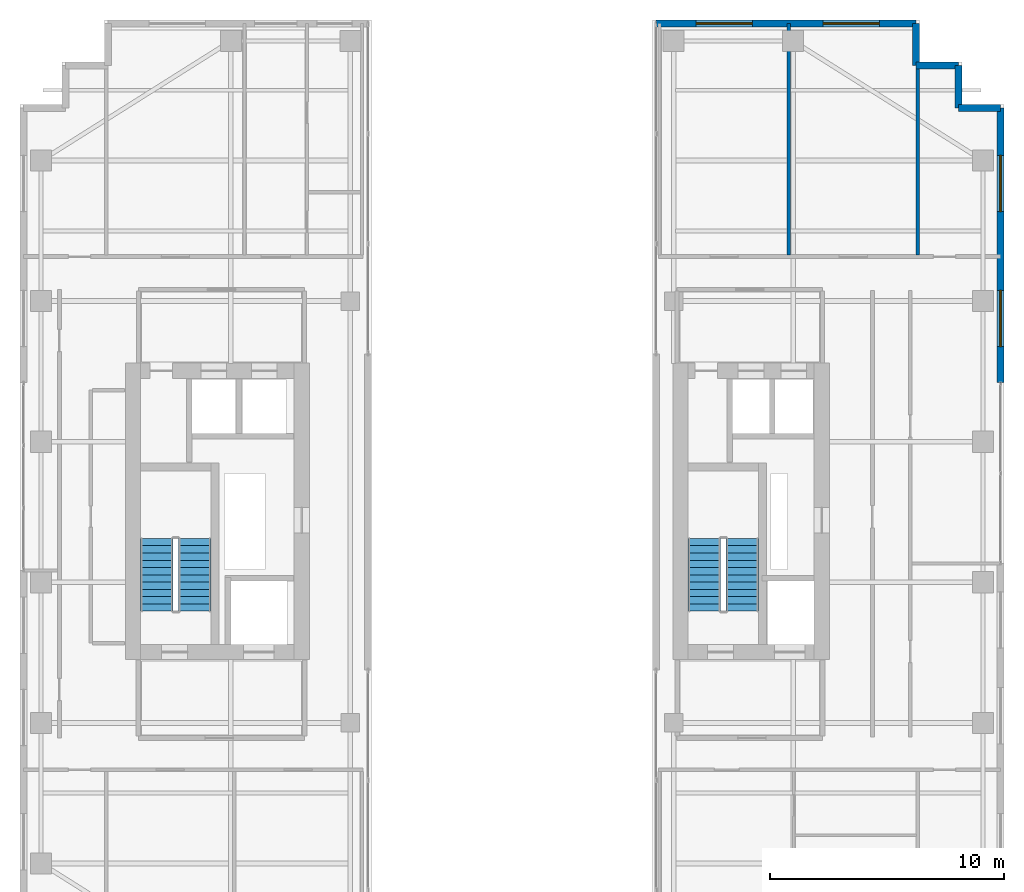
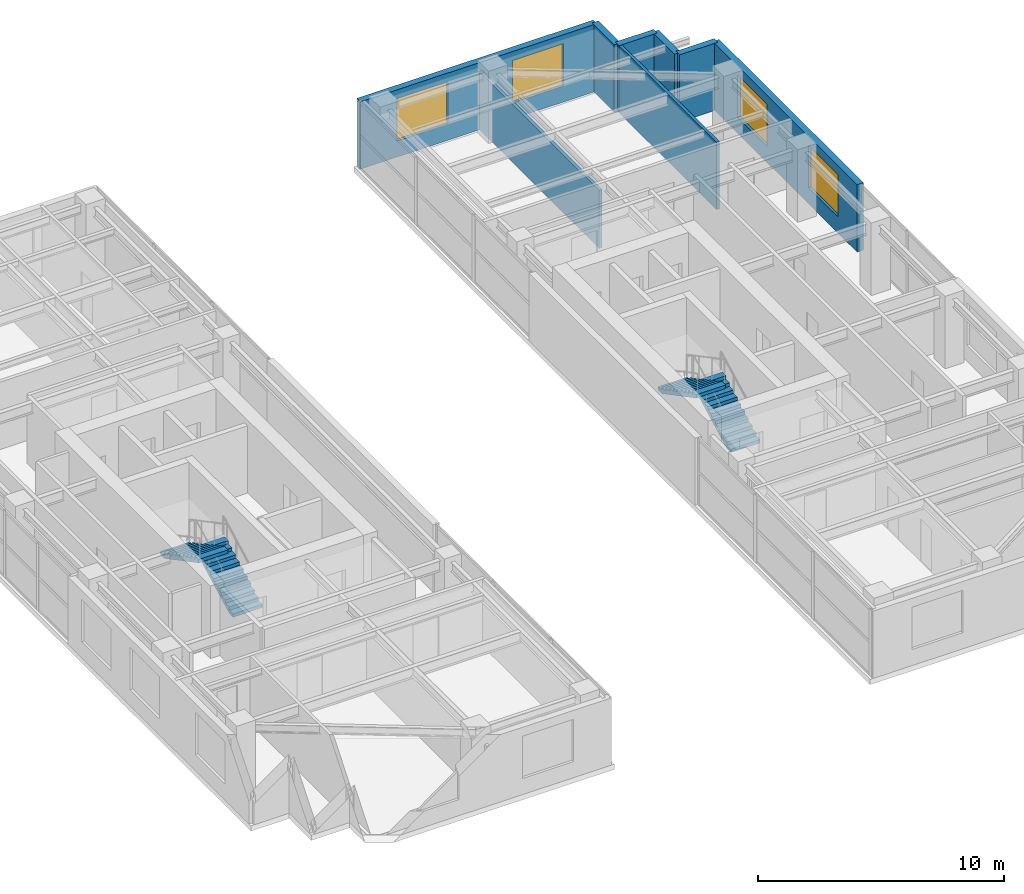
# One storey, part 20 of 22: 8 walls, 4 stair flights, 4 windows, 4 openings, 2 elements without a shape of their own.
"""IFC4 building model written with IfcOpenShell, lengths in metres."""

from ifc_helpers import new_model, si_unit, direction, frame, frame_2d, origin, place, context, subcontext, project, spatial, polyline, rectangle, outline, extrude, source, transform, mapped, material, layer, layer_set, type_object, element, fill, aggregate, save


model = new_model("IFC4")

# Units and contexts
model_context = context("Model", 3, precision=1e-05, world=origin(), true_north=direction((0.0, 1.0)))
body_context = subcontext(model_context, "Body", "Model", "MODEL_VIEW")
ifc_project = project(units=[si_unit("LENGTHUNIT", "METRE"), si_unit("AREAUNIT", "SQUARE_METRE"), si_unit("VOLUMEUNIT", "CUBIC_METRE"), si_unit("PLANEANGLEUNIT", "RADIAN"), si_unit("MASSUNIT", "GRAM", prefix="KILO")], contexts=[model_context])

# Site, building, storey
site_placement = place(None, origin())
site = spatial("IfcSite", under=ifc_project, at=site_placement, CompositionType="ELEMENT")
building_placement = place(site_placement, origin())
building = spatial("IfcBuilding", under=site, at=building_placement, Name="Khoralis Quay Care Tower", CompositionType="ELEMENT")
storey_placement = place(building_placement, frame((0.0, 0.0, 184.5)))
storey = spatial("IfcBuildingStorey", under=building, at=storey_placement, Name="L48", CompositionType="ELEMENT", Elevation=184.5)

# Wall, openings, windows
ifc_material_1 = material(Name="Precast concrete C45/55", Category="concrete")
ifc_layer_1 = layer(ifc_material_1, 0.300048828125)
ifc_layer_set_1 = layer_set([ifc_layer_1], Name="Precast concrete C45/55")
wall_type_1 = type_object("IfcWallType", Name="WL-EXT-REF-300", PredefinedType="SOLIDWALL", material=ifc_layer_set_1)
wall_1_placement = place(storey_placement, frame((44.85009765625, 26.52001953125, 0.0), z_axis=(0.0, 0.0, 1.0), x_axis=(0.0, 1.0, 0.0)))
wall_1 = element("IfcWall", 1, at=wall_1_placement, inside=storey, type_object=wall_type_1, Name="L48 External Facade Wall WL-EXT-L48-P2-E5B", PredefinedType="SOLIDWALL", context=body_context, shape_type="SweptSolid", body=[
    extrude(rectangle(XDim=11.72998046875, YDim=0.300048828125, at=frame_2d((5.864990234375, 0.0))), origin(), (0.0, 0.0, 1.0), 3.340087890625),
])
opening_1_placement = place(wall_1_placement, frame((1.5400390625, 0.0, 0.800048828125)))
opening_1 = element("IfcOpeningElement", 2, at=opening_1_placement, cuts=wall_1, Name="Opening W1", PredefinedType="OPENING", context=body_context, shape_type="SweptSolid", body=[
    extrude(rectangle(XDim=2.39990234375, YDim=2.10009765625, at=frame_2d((1.199951171875, 1.050048828125))), frame((0.0, 0.16015625, 0.0), z_axis=(0.0, -1.0, 0.0), x_axis=(1.0, 0.0, 0.0)), (0.0, 0.0, 1.0), 0.320068359375),
])
opening_2_placement = place(wall_1_placement, frame((7.304931640625, 0.0, 0.800048828125)))
opening_2 = element("IfcOpeningElement", 3, at=opening_2_placement, cuts=wall_1, Name="Opening W1", PredefinedType="OPENING", context=body_context, shape_type="SweptSolid", body=[
    extrude(rectangle(XDim=2.39990234375, YDim=2.10009765625, at=frame_2d((1.199951171875, 1.050048828125))), frame((0.0, 0.16015625, 0.0), z_axis=(0.0, -1.0, 0.0), x_axis=(1.0, 0.0, 0.0)), (0.0, 0.0, 1.0), 0.320068359375),
])
ifc_material_2 = material(Name="Low-E solar-control double glazing", Category="glass")
window_type = type_object("IfcWindowType", Name="WN-POD-2400X2100", PartitioningType="SINGLE_PANEL", PredefinedType="WINDOW", material=ifc_material_2)
shared_shape_1 = source(origin(), body_context, "Body", "SweptSolid", [
    extrude(rectangle(XDim=2.39990234375, YDim=2.10009765625, at=frame_2d((1.199951171875, 1.050048828125))), frame((0.0, 0.030029296875, 0.0), z_axis=(0.0, -1.0, 0.0), x_axis=(1.0, 0.0, 0.0)), (0.0, 0.0, 1.0), 0.06005859375),
])
window_1_placement = place(opening_1_placement, origin())
window_1 = element("IfcWindow", 4, at=window_1_placement, inside=storey, type_object=window_type, Name="WN-L48-P2-E5B Facade Window 01", OverallHeight=2.10009765625, OverallWidth=2.39990234375, PartitioningType="SINGLE_PANEL", PredefinedType="WINDOW", context=body_context, shape_type="MappedRepresentation", body=[
    mapped(shared_shape_1, transform((0.0, 0.0, 0.0), scale=1.0)),
])
fill(opening_1, window_1)
window_2_placement = place(opening_2_placement, origin())
window_2 = element("IfcWindow", 5, at=window_2_placement, inside=storey, type_object=window_type, Name="WN-L48-P2-E5B Facade Window 02", OverallHeight=2.10009765625, OverallWidth=2.39990234375, PartitioningType="SINGLE_PANEL", PredefinedType="WINDOW", context=body_context, shape_type="MappedRepresentation", body=[
    mapped(shared_shape_1, transform((0.0, 0.0, 0.0), scale=1.0)),
])
fill(opening_2, window_2)

# Walls
for number, where, z_axis, x_axis, name in (
    (6, (44.85009765625, 38.25, 0.0), (0.0, 0.0, 1.0), (-1.0, 0.0, 0.0), "L48 External Facade Wall WL-EXT-L48-P2-C6"),
    (7, (43.050048828125, 38.25, 0.0), (0.0, 0.0, 1.0), (0.0, 1.0, 0.0), "L48 External Facade Wall WL-EXT-L48-P2-C7"),
    (8, (43.050048828125, 40.050048828125, 0.0), (0.0, 0.0, 1.0), (-1.0, 0.0, 0.0), "L48 External Facade Wall WL-EXT-L48-P2-C8"),
    (9, (41.25, 40.050048828125, 0.0), (0.0, 0.0, 1.0), (0.0, 1.0, 0.0), "L48 External Facade Wall WL-EXT-L48-P2-C9"),
):
    element("IfcWall", number, at=place(storey_placement, frame(where, z_axis=z_axis, x_axis=x_axis)), inside=storey, type_object=wall_type_1, Name=name, PredefinedType="SOLIDWALL", context=body_context, shape_type="SweptSolid", body=[
        extrude(rectangle(XDim=1.800048828125, YDim=0.300048828125, at=frame_2d((0.89990234375, 0.0))), origin(), (0.0, 0.0, 1.0), 3.340087890625),
    ])

# Wall, openings, windows
wall_2_placement = place(storey_placement, frame((41.25, 41.85009765625, 0.0), z_axis=(0.0, 0.0, 1.0), x_axis=(-1.0, 0.0, 0.0)))
wall_2 = element("IfcWall", 10, at=wall_2_placement, inside=storey, type_object=wall_type_1, Name="L48 External Facade Wall WL-EXT-L48-P2-E10", PredefinedType="SOLIDWALL", context=body_context, shape_type="SweptSolid", body=[
    extrude(rectangle(XDim=11.10009765625, YDim=0.300048828125, at=frame_2d((5.550048828125, 0.0))), origin(), (0.0, 0.0, 1.0), 3.340087890625),
])
opening_3_placement = place(wall_2_placement, frame((1.570068359375, 0.0, 0.800048828125)))
opening_3 = element("IfcOpeningElement", 11, at=opening_3_placement, cuts=wall_2, Name="Opening W1", PredefinedType="OPENING", context=body_context, shape_type="SweptSolid", body=[
    extrude(rectangle(XDim=2.39990234375, YDim=2.10009765625, at=frame_2d((1.199951171875, 1.050048828125))), frame((0.0, 0.16015625, 0.0), z_axis=(0.0, -1.0, 0.0), x_axis=(1.0, 0.0, 0.0)), (0.0, 0.0, 1.0), 0.320068359375),
])
opening_4_placement = place(wall_2_placement, frame((6.9951171875, 0.0, 0.800048828125)))
opening_4 = element("IfcOpeningElement", 12, at=opening_4_placement, cuts=wall_2, Name="Opening W1", PredefinedType="OPENING", context=body_context, shape_type="SweptSolid", body=[
    extrude(rectangle(XDim=2.39990234375, YDim=2.10009765625, at=frame_2d((1.199951171875, 1.050048828125))), frame((0.0, 0.16015625, 0.0), z_axis=(0.0, -1.0, 0.0), x_axis=(1.0, 0.0, 0.0)), (0.0, 0.0, 1.0), 0.320068359375),
])
window_3_placement = place(opening_3_placement, origin())
window_3 = element("IfcWindow", 13, at=window_3_placement, inside=storey, type_object=window_type, Name="WN-L48-P2-E10 Facade Window 01", OverallHeight=2.10009765625, OverallWidth=2.39990234375, PartitioningType="SINGLE_PANEL", PredefinedType="WINDOW", context=body_context, shape_type="MappedRepresentation", body=[
    mapped(shared_shape_1, transform((0.0, 0.0, 0.0), scale=1.0)),
])
fill(opening_3, window_3)
window_4_placement = place(opening_4_placement, origin())
window_4 = element("IfcWindow", 14, at=window_4_placement, inside=storey, type_object=window_type, Name="WN-L48-P2-E10 Facade Window 02", OverallHeight=2.10009765625, OverallWidth=2.39990234375, PartitioningType="SINGLE_PANEL", PredefinedType="WINDOW", context=body_context, shape_type="MappedRepresentation", body=[
    mapped(shared_shape_1, transform((0.0, 0.0, 0.0), scale=1.0)),
])
fill(opening_4, window_4)

# Walls
ifc_material_3 = material(Name="Gypsum plasterboard on acoustic metal stud")
ifc_layer_2 = layer(ifc_material_3, 0.139892578125)
ifc_layer_set_2 = layer_set([ifc_layer_2], Name="Gypsum plasterboard on acoustic metal stud")
wall_type_2 = type_object("IfcWallType", Name="WL-UNIT-140", PredefinedType="PARTITIONING", material=ifc_layer_set_2)
wall_3_placement = place(storey_placement, frame((35.81005859375, 31.9775390625, 0.0), z_axis=(0.0, 0.0, 1.0), x_axis=(0.0, 1.0, 0.0)))
element("IfcWall", 15, at=wall_3_placement, inside=storey, type_object=wall_type_2, Name="L48 EN Demising Wall 1", PredefinedType="PARTITIONING", context=body_context, shape_type="SweptSolid", body=[
    extrude(rectangle(XDim=9.87744140625, YDim=0.139892578125, at=frame_2d((4.938720703125, 0.0))), origin(), (0.0, 0.0, 1.0), 2.876953125),
])
wall_4_placement = place(storey_placement, frame((41.320068359375, 31.9775390625, 0.0), z_axis=(0.0, 0.0, 1.0), x_axis=(0.0, 1.0, 0.0)))
element("IfcWall", 16, at=wall_4_placement, inside=storey, type_object=wall_type_2, Name="L48 EN Demising Wall 2", PredefinedType="PARTITIONING", context=body_context, shape_type="SweptSolid", body=[
    extrude(rectangle(XDim=8.077392578125, YDim=0.139892578125, at=frame_2d((4.03857421875, 0.0))), origin(), (0.0, 0.0, 1.0), 3.340087890625),
])

# Stair, stair flights
stair_type = type_object("IfcStairType", Name="ST-TWR-DOGLEG-1400", PredefinedType="HALF_TURN_STAIR", material=ifc_material_1)
stair_1_placement = place(storey_placement, origin())
stair_1 = element("IfcStair", 17, at=stair_1_placement, inside=storey, type_object=stair_type, Name="L48 West Core Exit Stair ST-T1", PredefinedType="HALF_TURN_STAIR")
stair_flight_type = type_object("IfcStairFlightType", Name="SF-TWR-1400", PredefinedType="STRAIGHT", material=ifc_material_1)
shared_shape_2 = source(origin(), body_context, "Body", "SweptSolid", [
    extrude(outline(polyline([(0.0, 0.0), (0.0, 0.16357421875), (0.31005859375, 0.16357421875), (0.31005859375, 0.327392578125), (0.6201171875, 0.327392578125), (0.6201171875, 0.490966796875), (0.929931640625, 0.490966796875), (0.929931640625, 0.654541015625), (1.239990234375, 0.654541015625), (1.239990234375, 0.818115234375), (1.550048828125, 0.818115234375), (1.550048828125, 0.98193359375), (1.860107421875, 0.98193359375), (1.860107421875, 1.1455078125), (2.169921875, 1.1455078125), (2.169921875, 1.30908203125), (2.47998046875, 1.30908203125), (2.47998046875, 1.47265625), (2.7900390625, 1.47265625), (2.7900390625, 1.636474609375), (3.10009765625, 1.636474609375), (3.10009765625, 1.800048828125), (3.10009765625, 1.466796875), (0.321044921875, 0.0), (0.0, 0.0)])), frame((0.0, 0.68994140625, 0.0), z_axis=(0.0, -1.0, 0.0), x_axis=(1.0, 0.0, 0.0)), (0.0, 0.0, 1.0), 1.3798828125),
])
stair_flight_1_placement = place(storey_placement, frame((10.4599609375, 16.77001953125, 0.0), z_axis=(0.0, 0.0, 1.0), x_axis=(0.0, 1.0, 0.0)))
stair_flight_1 = element("IfcStairFlight", 18, at=stair_flight_1_placement, type_object=stair_flight_type, Name="ST-T1 flight 1", NumberOfRisers=11, NumberOfTreads=10, PredefinedType="STRAIGHT", RiserHeight=0.163636364, TreadLength=0.31, context=body_context, shape_type="MappedRepresentation", body=[
    mapped(shared_shape_2, transform((0.0, 0.0, 0.0), scale=1.0)),
])
stair_flight_2_placement = place(storey_placement, frame((8.840087890625, 19.8701171875, 1.800048828125), z_axis=(0.0, 0.0, 1.0), x_axis=(0.0, -1.0, 0.0)))
stair_flight_2 = element("IfcStairFlight", 19, at=stair_flight_2_placement, type_object=stair_flight_type, Name="ST-T1 flight 2", NumberOfRisers=11, NumberOfTreads=10, PredefinedType="STRAIGHT", RiserHeight=0.163636364, TreadLength=0.31, context=body_context, shape_type="MappedRepresentation", body=[
    mapped(shared_shape_2, transform((0.0, 0.0, 0.0), scale=1.0)),
])
aggregate(stair_1, [stair_flight_1, stair_flight_2])

stair_2_placement = place(storey_placement, origin())
stair_2 = element("IfcStair", 20, at=stair_2_placement, inside=storey, type_object=stair_type, Name="L48 East Core Exit Stair ST-T2", PredefinedType="HALF_TURN_STAIR")
stair_flight_3_placement = place(storey_placement, frame((33.830078125, 16.77001953125, 0.0), z_axis=(0.0, 0.0, 1.0), x_axis=(0.0, 1.0, 0.0)))
stair_flight_3 = element("IfcStairFlight", 21, at=stair_flight_3_placement, type_object=stair_flight_type, Name="ST-T2 flight 1", NumberOfRisers=11, NumberOfTreads=10, PredefinedType="STRAIGHT", RiserHeight=0.163636364, TreadLength=0.31, context=body_context, shape_type="MappedRepresentation", body=[
    mapped(shared_shape_2, transform((0.0, 0.0, 0.0), scale=1.0)),
])
stair_flight_4_placement = place(storey_placement, frame((32.2099609375, 19.8701171875, 1.800048828125), z_axis=(0.0, 0.0, 1.0), x_axis=(0.0, -1.0, 0.0)))
stair_flight_4 = element("IfcStairFlight", 22, at=stair_flight_4_placement, type_object=stair_flight_type, Name="ST-T2 flight 2", NumberOfRisers=11, NumberOfTreads=10, PredefinedType="STRAIGHT", RiserHeight=0.163636364, TreadLength=0.31, context=body_context, shape_type="MappedRepresentation", body=[
    mapped(shared_shape_2, transform((0.0, 0.0, 0.0), scale=1.0)),
])
aggregate(stair_2, [stair_flight_3, stair_flight_4])

save(model, "model.ifc")
